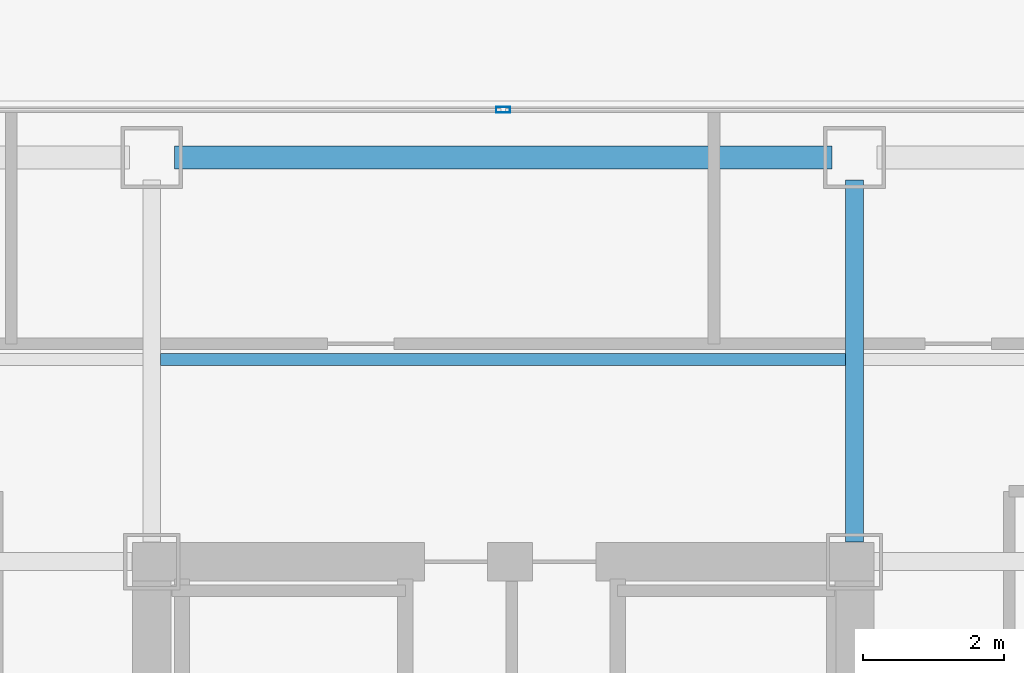
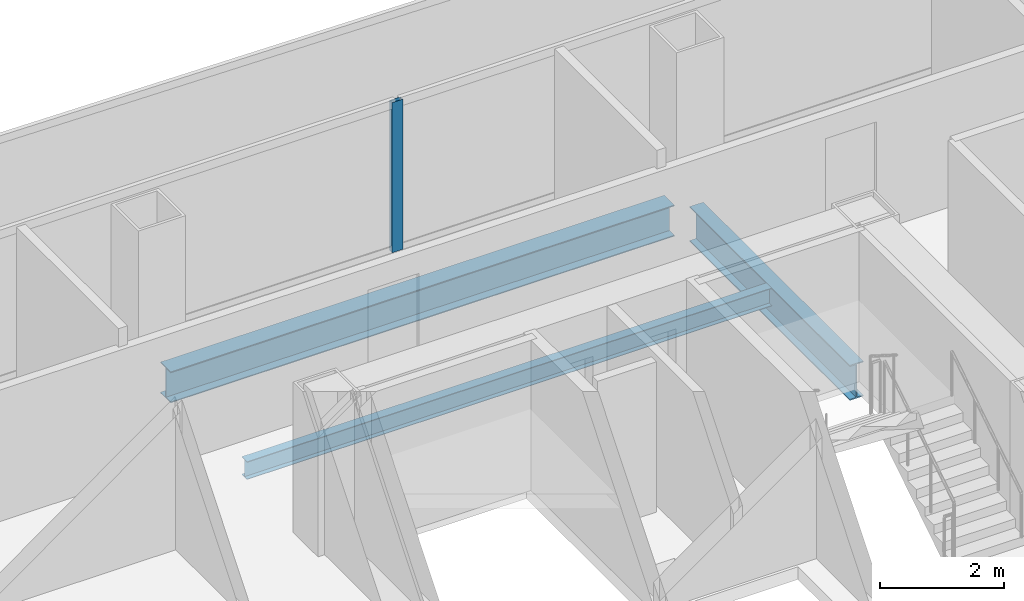
# One storey, part 12 of 21: 3 beams, 1 member, 1 element without a shape of its own.
"""IFC4 building model written with IfcOpenShell, lengths in metres."""

import ifcopenshell
import ifcopenshell.guid

model = None  # the IFC model being written
_history = None  # IfcOwnerHistory: only IFC2X3 demands one
_inside = {}  # id of a spatial element -> (the spatial element, [elements in it])
_under = {}  # id of a project, library or spatial element -> (it, [spatial elements below it])
_declared = {}  # id of a project -> (the project, [libraries it declares])
_typed = {}  # id of a type object -> (the type object, [elements of that type])
_made_of = {}  # id of a material, layer set ... -> (it, [elements and type objects made of it])


def new_model(schema):
    """Start an empty IFC model of exactly this schema.

    Asked for "IFC4X3", IfcOpenShell would pick the latest addendum, in which some entities
    have other attributes; the version numbers below select the first issue.
    IFC2X3 requires an IfcOwnerHistory on every rooted entity: one is made here for all.
    """
    global model, _history
    if schema == "IFC4X3":
        model = ifcopenshell.file(schema_version=(4, 3, 0, 0))
    else:
        model = ifcopenshell.file(schema=schema)
    _inside.clear()
    _under.clear()
    _declared.clear()
    _typed.clear()
    _made_of.clear()
    _history = None
    if model.schema == "IFC2X3":
        org = make("IfcOrganization", Name="unknown")
        user = make(
            "IfcPersonAndOrganization",
            ThePerson=make("IfcPerson", FamilyName="unknown"),
            TheOrganization=org,
        )
        app = make(
            "IfcApplication",
            ApplicationDeveloper=org,
            Version="unknown",
            ApplicationFullName="unknown",
            ApplicationIdentifier="unknown",
        )
        _history = make(
            "IfcOwnerHistory",
            OwningUser=user,
            OwningApplication=app,
            ChangeAction="ADDED",
            CreationDate=0,
        )
    return model


def make(cls, **values):
    """One entity of the class cls with the attributes given. An attribute that is None is left unset."""
    return model.create_entity(
        cls, **{name: value for name, value in values.items() if value is not None}
    )


def rooted(cls, **values):
    """An entity with a GlobalId (a new one), such as an element, a storey or a relation."""
    return make(cls, GlobalId=ifcopenshell.guid.new(), OwnerHistory=_history, **values)


def si_unit(unit_type, name, prefix=None):
    """IfcSIUnit, for example si_unit("LENGTHUNIT", "METRE", prefix="MILLI")."""
    return make("IfcSIUnit", UnitType=unit_type, Prefix=prefix, Name=name)


def assignment(units):
    """IfcUnitAssignment: the units of a project."""
    return None if units is None else make("IfcUnitAssignment", Units=units)


def point(xyz):
    """IfcCartesianPoint."""
    return None if xyz is None else make("IfcCartesianPoint", Coordinates=xyz)


def direction(xyz):
    """IfcDirection."""
    return None if xyz is None else make("IfcDirection", DirectionRatios=xyz)


def frame(location, z_axis=None, x_axis=None):
    """IfcAxis2Placement3D, a coordinate frame: its origin and axes. An axis left out is left unset."""
    return make(
        "IfcAxis2Placement3D",
        Location=point(location),
        Axis=direction(z_axis),
        RefDirection=direction(x_axis),
    )


def frame_2d(location, x_axis=None):
    """IfcAxis2Placement2D, a coordinate frame in the plane: its origin and x axis."""
    return make(
        "IfcAxis2Placement2D", Location=point(location), RefDirection=direction(x_axis)
    )


def origin():
    """The frame at (0, 0, 0) with its axes left unset."""
    return frame((0.0, 0.0, 0.0))


def origin_2d():
    """The frame at (0, 0) in the plane with its x axis left unset."""
    return frame_2d((0.0, 0.0))


def place(relative_to, where):
    """IfcLocalPlacement: puts the frame where relative to a parent placement (None: the world)."""
    return make(
        "IfcLocalPlacement", PlacementRelTo=relative_to, RelativePlacement=where
    )


def context(
    kind, dimensions, precision=None, world=None, true_north=None, identifier=None
):
    """IfcGeometricRepresentationContext, for example the 3D "Model" context."""
    return make(
        "IfcGeometricRepresentationContext",
        ContextIdentifier=identifier,
        ContextType=kind,
        CoordinateSpaceDimension=dimensions,
        Precision=precision,
        WorldCoordinateSystem=world,
        TrueNorth=true_north,
    )


def subcontext(parent, identifier, kind, view, scale=None):
    """IfcGeometricRepresentationSubContext, for example "Body" below "Model"."""
    return make(
        "IfcGeometricRepresentationSubContext",
        ContextIdentifier=identifier,
        ContextType=kind,
        ParentContext=parent,
        TargetScale=scale,
        TargetView=view,
    )


def project(units=None, contexts=None):
    """IfcProject with its units and contexts."""
    return rooted(
        "IfcProject",
        Name="project",
        RepresentationContexts=contexts,
        UnitsInContext=assignment(units),
    )


def spatial(cls, under=None, at=None, **own):
    """A site, building, storey or space (cls), placed at a placement, below another one or the project."""
    s = rooted(cls, ObjectPlacement=at, **own)
    if under is not None:
        _under.setdefault(under.id(), (under, []))[1].append(s)
    return s


def profile(cls, at=None, kind="AREA", **sizes):
    """A parametric profile (cls). Its sizes go by their IFC names, for example OverallWidth=200.0."""
    return make(cls, ProfileType=kind, Position=at, **sizes)


def hollow_rectangle(**sizes):
    """IfcRectangleHollowProfileDef."""
    return profile("IfcRectangleHollowProfileDef", **sizes)


def i_section(**sizes):
    """IfcIShapeProfileDef."""
    return profile("IfcIShapeProfileDef", **sizes)


def extrude(swept, where, along, depth):
    """IfcExtrudedAreaSolid: the profile swept, set in the frame where, extruded along a direction by depth."""
    return make(
        "IfcExtrudedAreaSolid",
        SweptArea=swept,
        Position=where,
        ExtrudedDirection=direction(along),
        Depth=depth,
    )


def shape(context_of_items, identifier, shape_type, items):
    """IfcShapeRepresentation: the items that make up one representation, for example the "Body"."""
    return make(
        "IfcShapeRepresentation",
        ContextOfItems=context_of_items,
        RepresentationIdentifier=identifier,
        RepresentationType=shape_type,
        Items=items,
    )


def source(mapping_origin, context_of_items, identifier, shape_type, items):
    """IfcRepresentationMap: a shape defined once, which mapped items show again and again."""
    return make(
        "IfcRepresentationMap",
        MappingOrigin=mapping_origin,
        MappedRepresentation=shape(context_of_items, identifier, shape_type, items),
    )


def transform(
    local_origin,
    x_axis=None,
    y_axis=None,
    z_axis=None,
    scale=None,
    scale2=None,
    scale3=None,
    uniform=True,
):
    """IfcCartesianTransformationOperator3D, or its non-uniform kind. x_axis, y_axis, z_axis: its Axis1, 2, 3."""
    if uniform:
        return make(
            "IfcCartesianTransformationOperator3D",
            Axis1=direction(x_axis),
            Axis2=direction(y_axis),
            LocalOrigin=point(local_origin),
            Scale=scale,
            Axis3=direction(z_axis),
        )
    return make(
        "IfcCartesianTransformationOperator3DnonUniform",
        Axis1=direction(x_axis),
        Axis2=direction(y_axis),
        LocalOrigin=point(local_origin),
        Scale=scale,
        Axis3=direction(z_axis),
        Scale2=scale2,
        Scale3=scale3,
    )


def mapped(mapping_source, mapping_target):
    """IfcMappedItem: shows the shape of a source again, moved by a transform."""
    return make(
        "IfcMappedItem", MappingSource=mapping_source, MappingTarget=mapping_target
    )


def material(Name=None, Category=None):
    """IfcMaterial."""
    return make("IfcMaterial", Name=Name, Category=Category)


def layer(
    of_material, thickness, ventilated=None, Name=None, Category=None, Priority=None
):
    """IfcMaterialLayer: one layer of a wall or slab, of a material (None: an air gap)."""
    return make(
        "IfcMaterialLayer",
        Material=of_material,
        LayerThickness=thickness,
        IsVentilated=ventilated,
        Name=Name,
        Category=Category,
        Priority=Priority,
    )


def layer_set(layers, Name=None):
    """IfcMaterialLayerSet."""
    return make("IfcMaterialLayerSet", MaterialLayers=layers, LayerSetName=Name)


def material_profile(
    of_material, cross_section, Name=None, Category=None, Priority=None
):
    """IfcMaterialProfile: a cross section and its material."""
    return make(
        "IfcMaterialProfile",
        Name=Name,
        Material=of_material,
        Profile=cross_section,
        Priority=Priority,
        Category=Category,
    )


def profile_set(profiles, Name=None, composite=None):
    """IfcMaterialProfileSet."""
    return make(
        "IfcMaterialProfileSet",
        Name=Name,
        MaterialProfiles=profiles,
        CompositeProfile=composite,
    )


def made_of(thing, what):
    """Note that an element or type object is made of a material, layer set ...; save() writes the relation."""
    if what is not None:
        _made_of.setdefault(what.id(), (what, []))[1].append(thing)
    return thing


def type_object(cls, material=None, **own):
    """A type object (cls), such as IfcWallType, which elements share."""
    return made_of(rooted(cls, **own), material)


def element(
    cls,
    number,
    at=None,
    inside=None,
    cuts=None,
    type_object=None,
    material=None,
    context=None,
    identifier="Body",
    shape_type=None,
    held_by="IfcProductDefinitionShape",
    body=None,
    shapes=None,
    **own,
):
    """One element of the class cls, such as IfcWall. Its Tag is "e" and its number.

    at: its placement. inside: the storey or other place that contains it. cuts: it is an
    opening in that element (IfcRelVoidsElement). A single representation is given by context,
    identifier, shape_type and body (its items); several are given by shapes. held_by: the class
    of the entity that holds the representations. save() writes the other relations.
    """
    e = rooted(cls, Tag="e%d" % number, ObjectPlacement=at, **own)
    if body is not None:
        shapes = [shape(context, identifier, shape_type, body)]
    if shapes is not None:
        e.Representation = make(held_by, Representations=shapes)
    if inside is not None:
        _inside.setdefault(inside.id(), (inside, []))[1].append(e)
    if cuts is not None:
        rooted(
            "IfcRelVoidsElement", RelatingBuildingElement=cuts, RelatedOpeningElement=e
        )
    if type_object is not None:
        _typed.setdefault(type_object.id(), (type_object, []))[1].append(e)
    return made_of(e, material)


def aggregate(whole, parts):
    """IfcRelAggregates: a whole, such as a stair, and the parts it consists of."""
    return rooted("IfcRelAggregates", RelatingObject=whole, RelatedObjects=parts)


def save(model, path):
    """Write the relations noted so far, then the file.

    IfcRelAggregates (storeys below a building ...), IfcRelContainedInSpatialStructure (elements
    in a storey), IfcRelDefinesByType, IfcRelAssociatesMaterial and IfcRelDeclares: one each for
    every whole, place, type object, material and project.
    """
    for whole, parts in _under.values():
        aggregate(whole, parts)
    for where, things in _inside.values():
        rooted(
            "IfcRelContainedInSpatialStructure",
            RelatedElements=things,
            RelatingStructure=where,
        )
    for kind, things in _typed.values():
        rooted("IfcRelDefinesByType", RelatedObjects=things, RelatingType=kind)
    for what, things in _made_of.values():
        rooted("IfcRelAssociatesMaterial", RelatedObjects=things, RelatingMaterial=what)
    for by, libraries in _declared.values():
        rooted("IfcRelDeclares", RelatingContext=by, RelatedDefinitions=libraries)
    model.write(path)


model = new_model("IFC4")

# Units and contexts
model_context = context("Model", 3, precision=1e-05, world=origin(), true_north=direction((0.0, 1.0)))
body_context = subcontext(model_context, "Body", "Model", "MODEL_VIEW")
ifc_project = project(units=[si_unit("LENGTHUNIT", "METRE"), si_unit("AREAUNIT", "SQUARE_METRE"), si_unit("VOLUMEUNIT", "CUBIC_METRE"), si_unit("PLANEANGLEUNIT", "RADIAN"), si_unit("MASSUNIT", "GRAM", prefix="KILO")], contexts=[model_context])

# Site, building, storey
site_placement = place(None, origin())
site = spatial("IfcSite", under=ifc_project, at=site_placement, CompositionType="ELEMENT")
building_placement = place(site_placement, origin())
building = spatial("IfcBuilding", under=site, at=building_placement, Name="Kolveth Station Tower", CompositionType="ELEMENT")
storey_placement = place(building_placement, frame((0.0, 0.0, 102.300048828125)))
storey = spatial("IfcBuildingStorey", under=building, at=storey_placement, Name="L27", CompositionType="ELEMENT", Elevation=102.300048828125)

# Beams
ifc_material_1 = material(Name="Steel S355", Category="steel")
ifc_material_profile_1 = material_profile(ifc_material_1, i_section(OverallWidth=0.323974609375, OverallDepth=0.611083984375, WebThickness=0.0126953125, FlangeThickness=0.01904296875, at=origin_2d()), Name="W610x155")
ifc_profile_set_1 = profile_set([ifc_material_profile_1], Name="Steel S355")
beam_type_1 = type_object("IfcBeamType", Name="Beam_SP2", PredefinedType="SPANDREL", material=ifc_profile_set_1)
shared_shape_1 = source(origin(), body_context, "Body", "SweptSolid", [
    extrude(i_section(OverallWidth=0.323974609375, OverallDepth=0.611083984375, WebThickness=0.0126953125, FlangeThickness=0.01904296875, at=origin_2d()), origin(), (0.0, 0.0, 1.0), 9.35986328125),
])
beam_1_placement = place(storey_placement, frame((18.820068359375, 34.5, -0.5556640625), z_axis=(1.0, 0.0, 0.0), x_axis=(0.0, 1.0, 0.0)))
element("IfcBeam", 1, at=beam_1_placement, inside=storey, type_object=beam_type_1, Name="L27 Perimeter Spandrel BM-L27-PN-3", PredefinedType="SPANDREL", context=body_context, shape_type="MappedRepresentation", body=[
    mapped(shared_shape_1, transform((0.0, 0.0, 0.0), x_axis=(1.0, 0.0, 0.0), y_axis=(0.0, 1.0, 0.0), z_axis=(0.0, 0.0, 1.0), scale=1.0)),
])
ifc_material_profile_2 = material_profile(ifc_material_1, i_section(OverallWidth=0.25390625, OverallDepth=0.68798828125, WebThickness=0.01318359375, FlangeThickness=0.02099609375, at=origin_2d()), Name="W690x152")
ifc_profile_set_2 = profile_set([ifc_material_profile_2], Name="Steel S355")
beam_type_2 = type_object("IfcBeamType", Name="Beam_B4", PredefinedType="BEAM", material=ifc_profile_set_2)
shared_shape_2 = source(origin(), body_context, "Body", "SweptSolid", [
    extrude(i_section(OverallWidth=0.25390625, OverallDepth=0.68798828125, WebThickness=0.01318359375, FlangeThickness=0.02099609375, at=origin_2d()), origin(), (0.0, 0.0, 1.0), 5.14990234375),
])
beam_2_placement = place(storey_placement, frame((28.5, 29.030029296875, -0.593994140625), z_axis=(0.0, 1.0, 0.0), x_axis=(-1.0, 0.0, 0.0)))
element("IfcBeam", 2, at=beam_2_placement, inside=storey, type_object=beam_type_2, Name="L27 Primary Girder BM-L27-GX285-6", PredefinedType="BEAM", context=body_context, shape_type="MappedRepresentation", body=[
    mapped(shared_shape_2, transform((0.0, 0.0, 0.0), x_axis=(1.0, 0.0, 0.0), y_axis=(0.0, 1.0, 0.0), z_axis=(0.0, 0.0, 1.0), scale=1.0)),
])
ifc_material_profile_3 = material_profile(ifc_material_1, i_section(OverallWidth=0.1708984375, OverallDepth=0.35205078125, WebThickness=0.0068359375, FlangeThickness=0.009765625, at=origin_2d()), Name="W360x44")
ifc_profile_set_3 = profile_set([ifc_material_profile_3], Name="Steel S355")
beam_type_3 = type_object("IfcBeamType", Name="Beam_J2", PredefinedType="JOIST", material=ifc_profile_set_3)
shared_shape_3 = source(origin(), body_context, "Body", "SweptSolid", [
    extrude(i_section(OverallWidth=0.1708984375, OverallDepth=0.35205078125, WebThickness=0.0068359375, FlangeThickness=0.009765625, at=origin_2d()), origin(), (0.0, 0.0, 1.0), 9.75),
])
beam_3_placement = place(storey_placement, frame((18.625, 31.625, -0.426025390625), z_axis=(1.0, 0.0, 0.0), x_axis=(0.0, 1.0, 0.0)))
element("IfcBeam", 3, at=beam_3_placement, inside=storey, type_object=beam_type_3, Name="L27 Secondary Joist JST-L27-4-6", PredefinedType="JOIST", context=body_context, shape_type="MappedRepresentation", body=[
    mapped(shared_shape_3, transform((0.0, 0.0, 0.0), x_axis=(1.0, 0.0, 0.0), y_axis=(0.0, 1.0, 0.0), z_axis=(0.0, 0.0, 1.0), scale=1.0)),
])

# Curtain wall, member
ifc_material_2 = material(Name="Aluminium 6063-T6 and low-E dark glass", Category="aluminium")
ifc_layer = layer(ifc_material_2, 0.18994140625)
ifc_layer_set = layer_set([ifc_layer], Name="Aluminium 6063-T6 and low-E dark glass")
curtain_wall_type = type_object("IfcCurtainWallType", Name="CurtainWall_CW-Z2", PredefinedType="NOTDEFINED", material=ifc_layer_set)
curtain_wall_placement = place(storey_placement, origin())
curtain_wall = element("IfcCurtainWall", 4, at=curtain_wall_placement, inside=storey, type_object=curtain_wall_type, Name="L27 Inner Thermal Curtain Wall 6", PredefinedType="NOTDEFINED")
ifc_material_3 = material(Name="Black anodized aluminium 6063-T6", Category="aluminium")
ifc_material_profile_4 = material_profile(ifc_material_3, hollow_rectangle(XDim=0.080078125, YDim=0.199951171875, WallThickness=0.0048828125, at=origin_2d()), Name="ALU-80x200x5")
ifc_profile_set_4 = profile_set([ifc_material_profile_4], Name="Black anodized aluminium 6063-T6")
member_type = type_object("IfcMemberType", Name="Mullion_ML2", PredefinedType="MULLION", material=ifc_profile_set_4)
shared_shape_4 = source(origin(), body_context, "Body", "SweptSolid", [
    extrude(hollow_rectangle(XDim=0.080078125, YDim=0.199951171875, WallThickness=0.0048828125, at=origin_2d()), origin(), (0.0, 0.0, 1.0), 2.949951171875),
])
member_placement = place(storey_placement, frame((23.5, 35.179931640625, 0.0), z_axis=(0.0, 0.0, 1.0), x_axis=(0.0, -1.0, 0.0)))
member = element("IfcMember", 5, at=member_placement, type_object=member_type, Name="CW-Z2 mullion 2", PredefinedType="MULLION", context=body_context, shape_type="MappedRepresentation", body=[
    mapped(shared_shape_4, transform((0.0, 0.0, 0.0), x_axis=(1.0, 0.0, 0.0), y_axis=(0.0, 1.0, 0.0), z_axis=(0.0, 0.0, 1.0), scale=1.0)),
])
aggregate(curtain_wall, [member])

save(model, "model.ifc")
